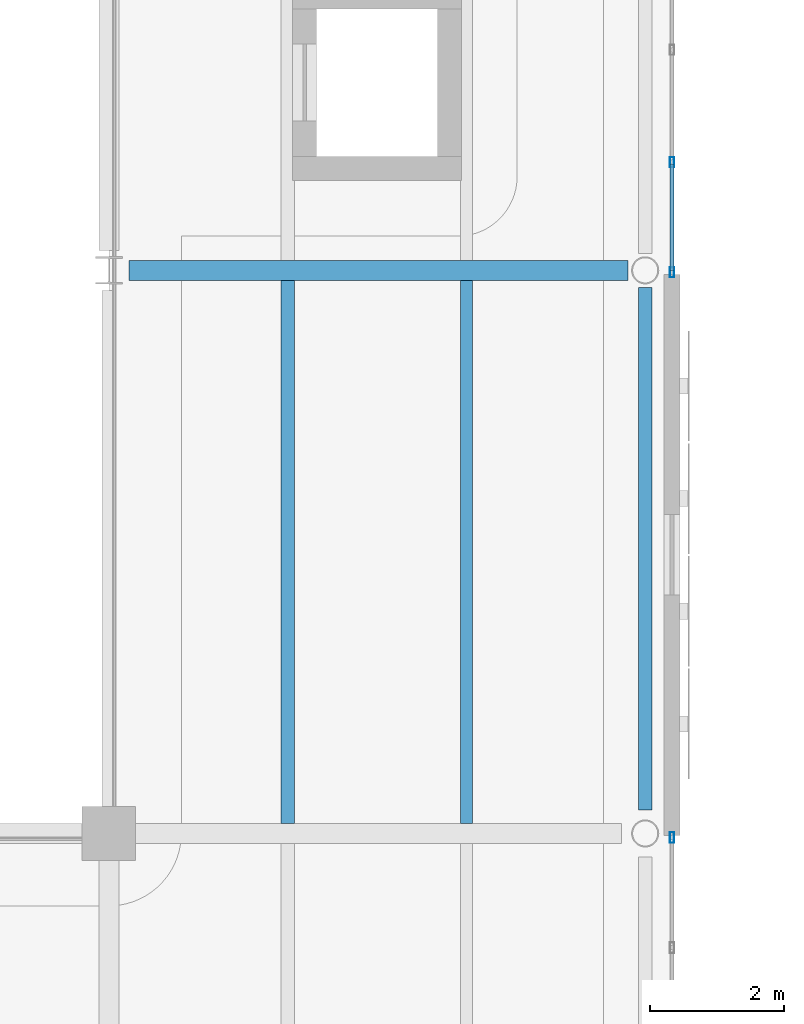
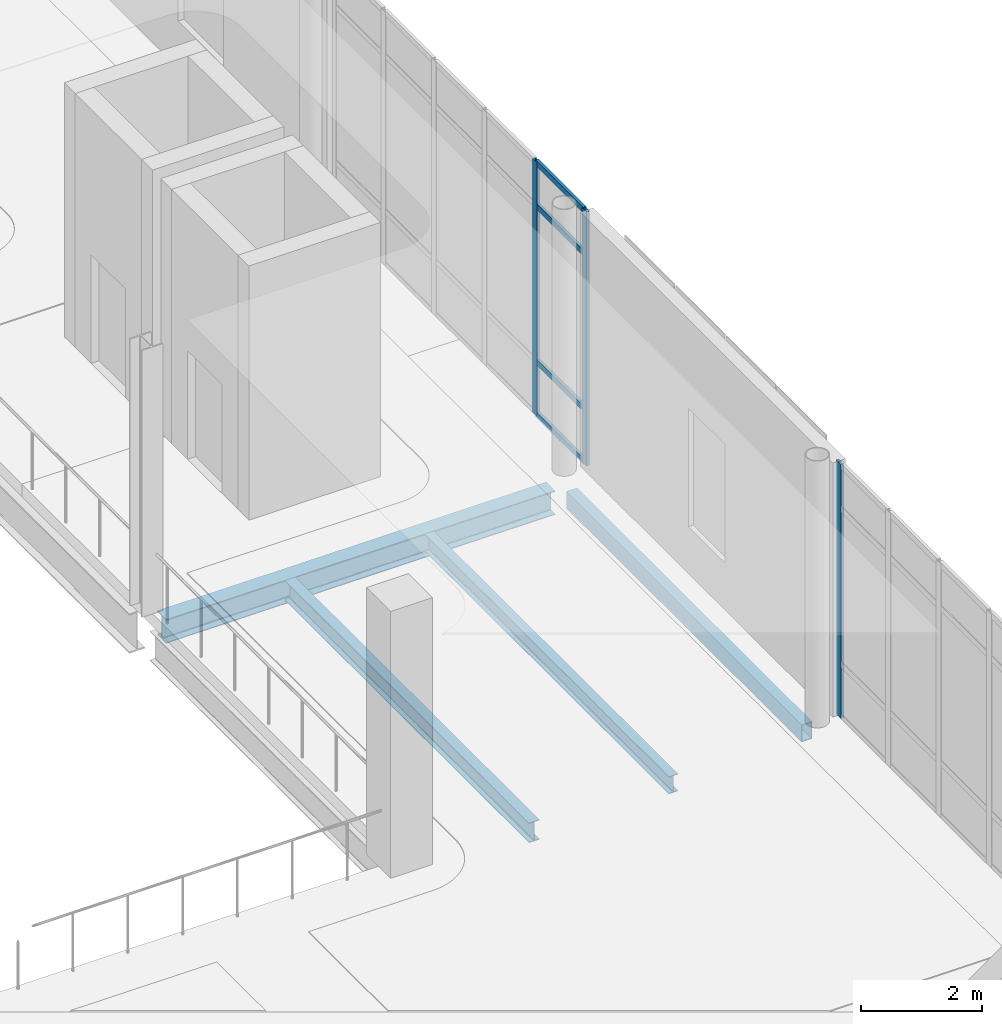
# One storey, part 38 of 110: 7 members, 4 beams, 2 elements without a shape of their own.
"""IFC4 building model written with IfcOpenShell, lengths in metres."""

from ifc_helpers import new_model, si_unit, direction, frame, origin, origin_2d, place, context, subcontext, project, spatial, hollow_rectangle, i_section, extrude, material, layer, layer_set, material_profile, profile_set, type_object, element, aggregate, save


model = new_model("IFC4")

# Units and contexts
model_context = context("Model", 3, precision=1e-05, world=origin(), true_north=direction((0.0, 1.0)))
body_context = subcontext(model_context, "Body", "Model", "MODEL_VIEW")
ifc_project = project(units=[si_unit("LENGTHUNIT", "METRE"), si_unit("AREAUNIT", "SQUARE_METRE"), si_unit("VOLUMEUNIT", "CUBIC_METRE"), si_unit("PLANEANGLEUNIT", "RADIAN"), si_unit("MASSUNIT", "GRAM", prefix="KILO"), si_unit("THERMODYNAMICTEMPERATUREUNIT", "KELVIN")], contexts=[model_context])

# Site, building, storey
site_placement = place(None, origin())
site = spatial("IfcSite", under=ifc_project, at=site_placement, CompositionType="ELEMENT")
building_placement = place(site_placement, origin())
building = spatial("IfcBuilding", under=site, at=building_placement, Name="Lustrewick Department Store", CompositionType="ELEMENT")
storey_placement = place(building_placement, frame((0.0, 0.0, 6.0)))
storey = spatial("IfcBuildingStorey", under=building, at=storey_placement, Name="L02", CompositionType="ELEMENT", Elevation=6.0)

# Beams
ifc_material_1 = material(Name="Structural steel Q355B", Category="steel")
ifc_material_profile_1 = material_profile(ifc_material_1, i_section(OverallWidth=0.199951171875, OverallDepth=0.39990234375, WebThickness=0.008056640625, FlangeThickness=0.012939453125, FilletRadius=0.013916015625, at=origin_2d()), Name="HN 400x200x8x13")
ifc_profile_set_1 = profile_set([ifc_material_profile_1], Name="Structural steel Q355B")
beam_type_1 = type_object("IfcBeamType", Name="B05", PredefinedType="JOIST", material=ifc_profile_set_1)
beam_1_placement = place(storey_placement, frame((145.466796875, 16.949951171875, -0.455078125), z_axis=(0.0, 1.0, 0.0), x_axis=(-1.0, 0.0, 0.0)))
element("IfcBeam", 1, at=beam_1_placement, inside=storey, type_object=beam_type_1, Name="L02 V3 Secondary Joist B05", PredefinedType="JOIST", context=body_context, shape_type="SweptSolid", body=[
    extrude(i_section(OverallWidth=0.199951171875, OverallDepth=0.39990234375, WebThickness=0.008056640625, FlangeThickness=0.012939453125, FilletRadius=0.013916015625, at=origin_2d()), origin(), (0.0, 0.0, 1.0), 8.10009765625),
])
ifc_material_profile_2 = material_profile(ifc_material_1, i_section(OverallWidth=0.175048828125, OverallDepth=0.35009765625, WebThickness=0.007080078125, FlangeThickness=0.010986328125, FilletRadius=0.012939453125, at=origin_2d()), Name="HN 350x175x7x11")
ifc_profile_set_2 = profile_set([ifc_material_profile_2], Name="Structural steel Q355B")
beam_type_2 = type_object("IfcBeamType", Name="B09", PredefinedType="JOIST", material=ifc_profile_set_2)
beam_2_placement = place(storey_placement, frame((148.13330078125, 16.949951171875, -0.429931640625), z_axis=(0.0, 1.0, 0.0), x_axis=(-1.0, 0.0, 0.0)))
element("IfcBeam", 2, at=beam_2_placement, inside=storey, type_object=beam_type_2, Name="L02 V3 Secondary Joist B09", PredefinedType="JOIST", context=body_context, shape_type="SweptSolid", body=[
    extrude(i_section(OverallWidth=0.175048828125, OverallDepth=0.35009765625, WebThickness=0.007080078125, FlangeThickness=0.010986328125, FilletRadius=0.012939453125, at=origin_2d()), origin(), (0.0, 0.0, 1.0), 8.10009765625),
])

# Curtain wall, member
ifc_material_2 = material(Name="Thermally broken aluminium 6063-T5", Category="aluminium")
ifc_layer_1 = layer(ifc_material_2, 0.159912109375, Name="Thermally broken aluminium 6063-T5")
ifc_layer_set_1 = layer_set([ifc_layer_1], Name="Thermally broken aluminium 6063-T5")
curtain_wall_type_1 = type_object("IfcCurtainWallType", Name="CW04", PredefinedType="NOTDEFINED", material=ifc_layer_set_1)
curtain_wall_1_placement = place(storey_placement, origin())
curtain_wall_1 = element("IfcCurtainWall", 3, at=curtain_wall_1_placement, inside=storey, type_object=curtain_wall_type_1, Name="L02 V3 Curtain Wall CW04", PredefinedType="NOTDEFINED")
ifc_material_profile_3 = material_profile(ifc_material_2, hollow_rectangle(XDim=0.06005859375, YDim=0.159912109375, WallThickness=0.00390625, at=origin_2d()), Name="ALU-M 60x160x4")
ifc_profile_set_3 = profile_set([ifc_material_profile_3], Name="Thermally broken aluminium 6063-T5")
member_type_1 = type_object("IfcMemberType", Name="CW04-M1", PredefinedType="MULLION", material=ifc_profile_set_3)
member_1_placement = place(storey_placement, frame((151.199951171875, 16.739990234375, 0.0), z_axis=(0.0, 0.0, 1.0), x_axis=(-1.0, 0.0, 0.0)))
member_1 = element("IfcMember", 4, at=member_1_placement, type_object=member_type_1, Name="CW04 mullion 6", PredefinedType="MULLION", context=body_context, shape_type="SweptSolid", body=[
    extrude(hollow_rectangle(XDim=0.06005859375, YDim=0.159912109375, WallThickness=0.00390625, at=origin_2d()), origin(), (0.0, 0.0, 1.0), 5.14501953125),
])
aggregate(curtain_wall_1, [member_1])

# Curtain wall, members
ifc_layer_2 = layer(ifc_material_2, 0.14990234375, Name="Thermally broken aluminium 6063-T5")
ifc_layer_set_2 = layer_set([ifc_layer_2], Name="Thermally broken aluminium 6063-T5")
curtain_wall_type_2 = type_object("IfcCurtainWallType", Name="CW05", PredefinedType="NOTDEFINED", material=ifc_layer_set_2)
curtain_wall_2_placement = place(storey_placement, origin())
curtain_wall_2 = element("IfcCurtainWall", 5, at=curtain_wall_2_placement, inside=storey, type_object=curtain_wall_type_2, Name="L02 V3 Curtain Wall CW05", PredefinedType="NOTDEFINED")
ifc_material_profile_4 = material_profile(ifc_material_2, hollow_rectangle(XDim=0.06005859375, YDim=0.14990234375, WallThickness=0.00341796875, at=origin_2d()), Name="ALU-M 60x150x3.5")
ifc_profile_set_4 = profile_set([ifc_material_profile_4], Name="Thermally broken aluminium 6063-T5")
member_type_2 = type_object("IfcMemberType", Name="CW05-M1", PredefinedType="MULLION", material=ifc_profile_set_4)
member_2_placement = place(storey_placement, frame((151.199951171875, 25.169921875, 0.0), z_axis=(0.0, 0.0, 1.0), x_axis=(-1.0, 0.0, 0.0)))
member_2 = element("IfcMember", 6, at=member_2_placement, type_object=member_type_2, Name="CW05 mullion 1", PredefinedType="MULLION", context=body_context, shape_type="SweptSolid", body=[
    extrude(hollow_rectangle(XDim=0.06005859375, YDim=0.14990234375, WallThickness=0.00341796875, at=origin_2d()), origin(), (0.0, 0.0, 1.0), 5.14501953125),
])
member_3_placement = place(storey_placement, frame((151.199951171875, 26.81396484375, 0.0), z_axis=(0.0, 0.0, 1.0), x_axis=(-1.0, 0.0, 0.0)))
member_3 = element("IfcMember", 7, at=member_3_placement, type_object=member_type_2, Name="CW05 mullion 2", PredefinedType="MULLION", context=body_context, shape_type="SweptSolid", body=[
    extrude(hollow_rectangle(XDim=0.06005859375, YDim=0.14990234375, WallThickness=0.00341796875, at=origin_2d()), origin(), (0.0, 0.0, 1.0), 5.14501953125),
])
ifc_material_profile_5 = material_profile(ifc_material_2, hollow_rectangle(XDim=0.06005859375, YDim=0.110107421875, WallThickness=0.0029296875, at=origin_2d()), Name="ALU-T 60x110x3")
ifc_profile_set_5 = profile_set([ifc_material_profile_5], Name="Thermally broken aluminium 6063-T5")
member_type_3 = type_object("IfcMemberType", Name="CW05-T1", PredefinedType="USERDEFINED", material=ifc_profile_set_5)
member_4_placement = place(storey_placement, frame((151.199951171875, 25.199951171875, 0.030029296875), z_axis=(0.0, 1.0, 0.0), x_axis=(-1.0, 0.0, 0.0)))
member_4 = element("IfcMember", 8, at=member_4_placement, type_object=member_type_3, Name="CW05 transom 1.1", ObjectType="TRANSOM", PredefinedType="USERDEFINED", context=body_context, shape_type="SweptSolid", body=[
    extrude(hollow_rectangle(XDim=0.06005859375, YDim=0.110107421875, WallThickness=0.0029296875, at=origin_2d()), origin(), (0.0, 0.0, 1.0), 1.583984375),
])
member_5_placement = place(storey_placement, frame((151.199951171875, 25.199951171875, 1.10009765625), z_axis=(0.0, 1.0, 0.0), x_axis=(-1.0, 0.0, 0.0)))
member_5 = element("IfcMember", 9, at=member_5_placement, type_object=member_type_3, Name="CW05 transom 1.2", ObjectType="TRANSOM", PredefinedType="USERDEFINED", context=body_context, shape_type="SweptSolid", body=[
    extrude(hollow_rectangle(XDim=0.06005859375, YDim=0.110107421875, WallThickness=0.0029296875, at=origin_2d()), origin(), (0.0, 0.0, 1.0), 1.583984375),
])
member_6_placement = place(storey_placement, frame((151.199951171875, 25.199951171875, 4.2451171875), z_axis=(0.0, 1.0, 0.0), x_axis=(-1.0, 0.0, 0.0)))
member_6 = element("IfcMember", 10, at=member_6_placement, type_object=member_type_3, Name="CW05 transom 1.3", ObjectType="TRANSOM", PredefinedType="USERDEFINED", context=body_context, shape_type="SweptSolid", body=[
    extrude(hollow_rectangle(XDim=0.06005859375, YDim=0.110107421875, WallThickness=0.0029296875, at=origin_2d()), origin(), (0.0, 0.0, 1.0), 1.583984375),
])
member_7_placement = place(storey_placement, frame((151.199951171875, 25.199951171875, 5.114990234375), z_axis=(0.0, 1.0, 0.0), x_axis=(-1.0, 0.0, 0.0)))
member_7 = element("IfcMember", 11, at=member_7_placement, type_object=member_type_3, Name="CW05 transom 1.4", ObjectType="TRANSOM", PredefinedType="USERDEFINED", context=body_context, shape_type="SweptSolid", body=[
    extrude(hollow_rectangle(XDim=0.06005859375, YDim=0.110107421875, WallThickness=0.0029296875, at=origin_2d()), origin(), (0.0, 0.0, 1.0), 1.583984375),
])
aggregate(curtain_wall_2, [member_2, member_3, member_4, member_5, member_6, member_7])

# Beams
ifc_material_profile_6 = material_profile(ifc_material_1, i_section(OverallWidth=0.300048828125, OverallDepth=0.48193359375, WebThickness=0.010986328125, FlangeThickness=0.014892578125, FilletRadius=0.02197265625, at=origin_2d()), Name="HM 482x300x11x15")
ifc_profile_set_6 = profile_set([ifc_material_profile_6], Name="Structural steel Q355B")
beam_type_3 = type_object("IfcBeamType", Name="G20", PredefinedType="BEAM", material=ifc_profile_set_6)
beam_3_placement = place(storey_placement, frame((143.10009765625, 25.199951171875, -0.49609375), z_axis=(1.0, 0.0, 0.0), x_axis=(0.0, 1.0, 0.0)))
element("IfcBeam", 12, at=beam_3_placement, inside=storey, type_object=beam_type_3, Name="L02 V3 Girder G20", PredefinedType="BEAM", context=body_context, shape_type="SweptSolid", body=[
    extrude(i_section(OverallWidth=0.300048828125, OverallDepth=0.48193359375, WebThickness=0.010986328125, FlangeThickness=0.014892578125, FilletRadius=0.02197265625, at=origin_2d()), origin(), (0.0, 0.0, 1.0), 7.44580078125),
])
ifc_material_3 = material(Name="Structural steel Q355C", Category="steel")
ifc_material_profile_7 = material_profile(ifc_material_3, hollow_rectangle(XDim=0.199951171875, YDim=0.35009765625, WallThickness=0.011962890625, at=origin_2d()), Name="RHS 350x200x12")
ifc_profile_set_7 = profile_set([ifc_material_profile_7], Name="Structural steel Q355C")
beam_type_4 = type_object("IfcBeamType", Name="SP03", PredefinedType="SPANDREL", material=ifc_profile_set_7)
beam_4_placement = place(storey_placement, frame((150.800048828125, 17.14990234375, -0.429931640625), z_axis=(0.0, 1.0, 0.0), x_axis=(-1.0, 0.0, 0.0)))
element("IfcBeam", 13, at=beam_4_placement, inside=storey, type_object=beam_type_4, Name="L02 V3 Girder SP03", PredefinedType="SPANDREL", context=body_context, shape_type="SweptSolid", body=[
    extrude(hollow_rectangle(XDim=0.199951171875, YDim=0.35009765625, WallThickness=0.011962890625, at=origin_2d()), origin(), (0.0, 0.0, 1.0), 7.796142578125),
])

save(model, "model.ifc")
